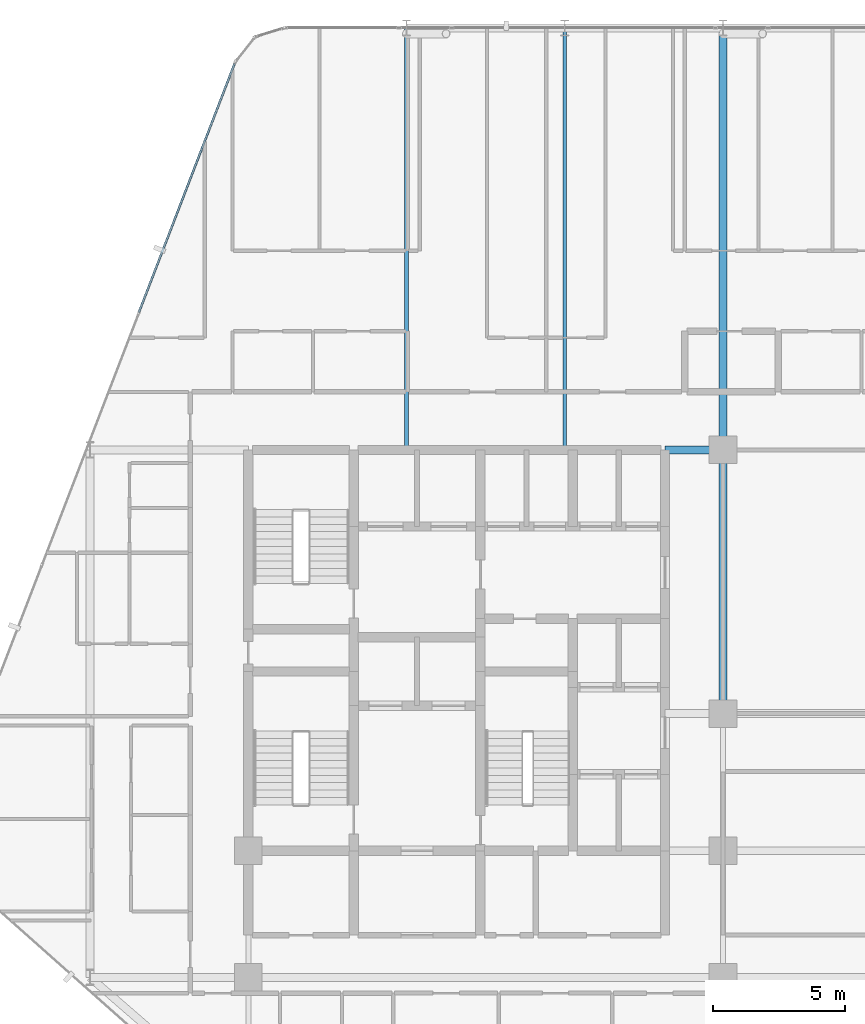
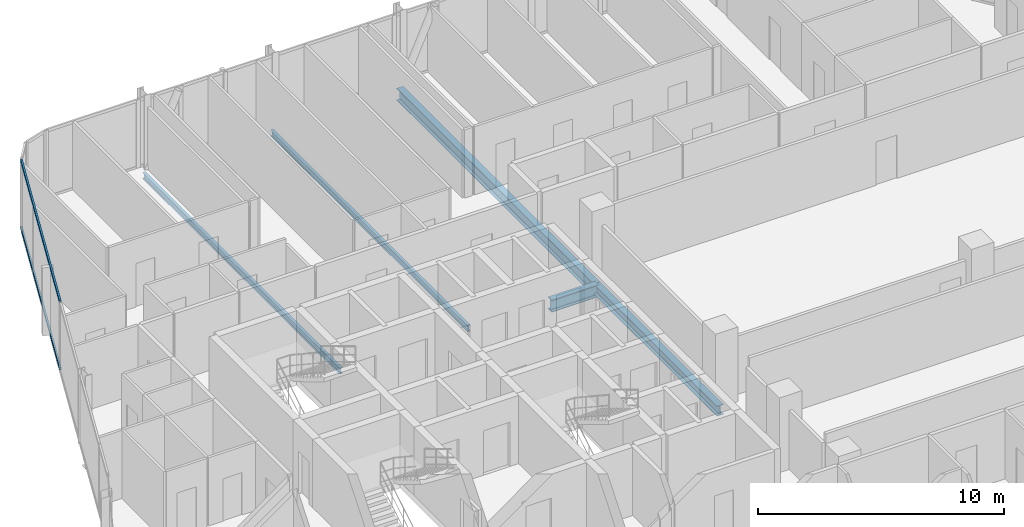
# One storey, part 15 of 30: 5 beams, 2 members, 1 element without a shape of its own.
"""IFC4 building model written with IfcOpenShell, lengths in metres."""

from ifc_helpers import new_model, si_unit, direction, frame, origin, origin_2d, place, context, subcontext, project, spatial, hollow_rectangle, i_section, extrude, material, layer, layer_set, material_profile, profile_set, type_object, element, aggregate, save


model = new_model("IFC4")

# Units and contexts
model_context = context("Model", 3, precision=1e-05, world=origin(), true_north=direction((0.0, 1.0)))
body_context = subcontext(model_context, "Body", "Model", "MODEL_VIEW")
ifc_project = project(units=[si_unit("LENGTHUNIT", "METRE"), si_unit("AREAUNIT", "SQUARE_METRE"), si_unit("VOLUMEUNIT", "CUBIC_METRE"), si_unit("PLANEANGLEUNIT", "RADIAN"), si_unit("MASSUNIT", "GRAM", prefix="KILO")], contexts=[model_context])

# Site, building, storey
site_placement = place(None, origin())
site = spatial("IfcSite", under=ifc_project, at=site_placement, CompositionType="ELEMENT")
building_placement = place(site_placement, origin())
building = spatial("IfcBuilding", under=site, at=building_placement, Name="Keshet Zoharim Tower", CompositionType="ELEMENT")
storey_placement = place(building_placement, frame((0.0, 0.0, 116.800048828125)))
storey = spatial("IfcBuildingStorey", under=building, at=storey_placement, Name="L28", CompositionType="ELEMENT", Elevation=116.800048828125)

# Beams
ifc_material_1 = material(Name="Steel S355", Category="steel")
ifc_material_profile_1 = material_profile(ifc_material_1, i_section(OverallWidth=0.300048828125, OverallDepth=0.60009765625, WebThickness=0.015380859375, FlangeThickness=0.030029296875, FilletRadius=0.027099609375, at=origin_2d()), Name="HEB600")
ifc_profile_set_1 = profile_set([ifc_material_profile_1], Name="Steel S355")
beam_type_1 = type_object("IfcBeamType", Name="BM-CLK-HB600", PredefinedType="BEAM", material=ifc_profile_set_1)
beam_1_placement = place(storey_placement, frame((30.800048828125, 37.89990234375, -0.614990234375), z_axis=(1.0, 0.0, 0.0), x_axis=(0.0, 1.0, 0.0)))
element("IfcBeam", 1, at=beam_1_placement, inside=storey, type_object=beam_type_1, Name="L28 Core Wall Link Girder 03", PredefinedType="BEAM", context=body_context, shape_type="SweptSolid", body=[
    extrude(i_section(OverallWidth=0.300048828125, OverallDepth=0.60009765625, WebThickness=0.015380859375, FlangeThickness=0.030029296875, FilletRadius=0.027099609375, at=origin_2d()), origin(), (0.0, 0.0, 1.0), 2.199951171875),
])
ifc_material_profile_2 = material_profile(ifc_material_1, i_section(OverallWidth=0.14990234375, OverallDepth=0.300048828125, WebThickness=0.007080078125, FlangeThickness=0.0107421875, FilletRadius=0.014892578125, at=origin_2d()), Name="IPE300")
ifc_profile_set_2 = profile_set([ifc_material_profile_2], Name="Steel S355")
beam_type_2 = type_object("IfcBeamType", Name="BM-JST-IP300", PredefinedType="JOIST", material=ifc_profile_set_2)
for number, where, z_axis, x_axis, name in (
    (2, (21.0, 37.89990234375, -0.465087890625), (0.0, 1.0, 0.0), (-1.0, 0.0, 0.0), "L28 Secondary Floor Joist J-001"),
    (3, (27.0, 37.89990234375, -0.465087890625), (0.0, 1.0, 0.0), (-1.0, 0.0, 0.0), "L28 Secondary Floor Joist J-002"),
):
    element("IfcBeam", number, at=place(storey_placement, frame(where, z_axis=z_axis, x_axis=x_axis)), inside=storey, type_object=beam_type_2, Name=name, PredefinedType="JOIST", context=body_context, shape_type="SweptSolid", body=[
        extrude(i_section(OverallWidth=0.14990234375, OverallDepth=0.300048828125, WebThickness=0.007080078125, FlangeThickness=0.0107421875, FilletRadius=0.014892578125, at=origin_2d()), origin(), (0.0, 0.0, 1.0), 16.0),
    ])
ifc_material_profile_3 = material_profile(ifc_material_1, i_section(OverallWidth=0.300048828125, OverallDepth=0.60009765625, WebThickness=0.015380859375, FlangeThickness=0.030029296875, FilletRadius=0.027099609375, at=origin_2d()), Name="HEB600")
ifc_profile_set_3 = profile_set([ifc_material_profile_3], Name="Steel S355")
beam_type_3 = type_object("IfcBeamType", Name="BM-LNG-HB600", PredefinedType="BEAM", material=ifc_profile_set_3)
beam_2_placement = place(storey_placement, frame((33.0, 37.89990234375, -0.614990234375), z_axis=(0.0, 1.0, 0.0), x_axis=(-1.0, 0.0, 0.0)))
element("IfcBeam", 4, at=beam_2_placement, inside=storey, type_object=beam_type_3, Name="L28 Primary Girder Y-011", PredefinedType="BEAM", context=body_context, shape_type="SweptSolid", body=[
    extrude(i_section(OverallWidth=0.300048828125, OverallDepth=0.60009765625, WebThickness=0.015380859375, FlangeThickness=0.030029296875, FilletRadius=0.027099609375, at=origin_2d()), origin(), (0.0, 0.0, 1.0), 16.0),
])
ifc_material_profile_4 = material_profile(ifc_material_1, i_section(OverallWidth=0.300048828125, OverallDepth=0.5, WebThickness=0.014404296875, FlangeThickness=0.028076171875, FilletRadius=0.027099609375, at=origin_2d()), Name="HEB500")
ifc_profile_set_4 = profile_set([ifc_material_profile_4], Name="Steel S355")
beam_type_4 = type_object("IfcBeamType", Name="BM-MED-HB500", PredefinedType="BEAM", material=ifc_profile_set_4)
beam_3_placement = place(storey_placement, frame((33.0, 27.89990234375, -0.56494140625), z_axis=(0.0, 1.0, 0.0), x_axis=(-1.0, 0.0, 0.0)))
element("IfcBeam", 5, at=beam_3_placement, inside=storey, type_object=beam_type_4, Name="L28 Primary Girder Y-010", PredefinedType="BEAM", context=body_context, shape_type="SweptSolid", body=[
    extrude(i_section(OverallWidth=0.300048828125, OverallDepth=0.5, WebThickness=0.014404296875, FlangeThickness=0.028076171875, FilletRadius=0.027099609375, at=origin_2d()), origin(), (0.0, 0.0, 1.0), 10.0),
])

# Curtain wall, members
ifc_material_2 = material(Name="Aluminium 6063-T6", Category="aluminium")
ifc_layer = layer(ifc_material_2, 0.159912109375)
ifc_layer_set = layer_set([ifc_layer], Name="Aluminium 6063-T6")
curtain_wall_type = type_object("IfcCurtainWallType", Name="CW-SYS-03", PredefinedType="NOTDEFINED", material=ifc_layer_set)
curtain_wall_placement = place(storey_placement, origin())
curtain_wall = element("IfcCurtainWall", 6, at=curtain_wall_placement, inside=storey, type_object=curtain_wall_type, Name="L28 Unitised Curtain Wall 10", PredefinedType="NOTDEFINED")
ifc_material_profile_5 = material_profile(ifc_material_2, hollow_rectangle(XDim=0.080078125, YDim=0.139892578125, WallThickness=0.00390625, at=origin_2d()), Name="TRN-80x140")
ifc_profile_set_5 = profile_set([ifc_material_profile_5], Name="Aluminium 6063-T6")
member_type = type_object("IfcMemberType", Name="CWT-T14", PredefinedType="USERDEFINED", material=ifc_profile_set_5)
member_1_placement = place(storey_placement, frame((10.849609375, 43.10888671875, 0.034912109375), z_axis=(0.358985546764, 0.933343118694, 0.0), x_axis=(-0.933343118694, 0.358985546764, 0.0)))
member_1 = element("IfcMember", 7, at=member_1_placement, type_object=member_type, Name="CW-03 transom 3.1", ObjectType="TRANSOM", PredefinedType="USERDEFINED", context=body_context, shape_type="SweptSolid", body=[
    extrude(hollow_rectangle(XDim=0.080078125, YDim=0.139892578125, WallThickness=0.00390625, at=origin_2d()), origin(), (0.0, 0.0, 1.0), 10.118408203125),
])
member_2_placement = place(storey_placement, frame((10.849609375, 43.10888671875, 3.344970703125), z_axis=(0.358985546764, 0.933343118694, 0.0), x_axis=(-0.933343118694, 0.358985546764, 0.0)))
member_2 = element("IfcMember", 8, at=member_2_placement, type_object=member_type, Name="CW-03 transom 3.2", ObjectType="TRANSOM", PredefinedType="USERDEFINED", context=body_context, shape_type="SweptSolid", body=[
    extrude(hollow_rectangle(XDim=0.080078125, YDim=0.139892578125, WallThickness=0.00390625, at=origin_2d()), origin(), (0.0, 0.0, 1.0), 10.118408203125),
])
aggregate(curtain_wall, [member_1, member_2])

save(model, "model.ifc")
